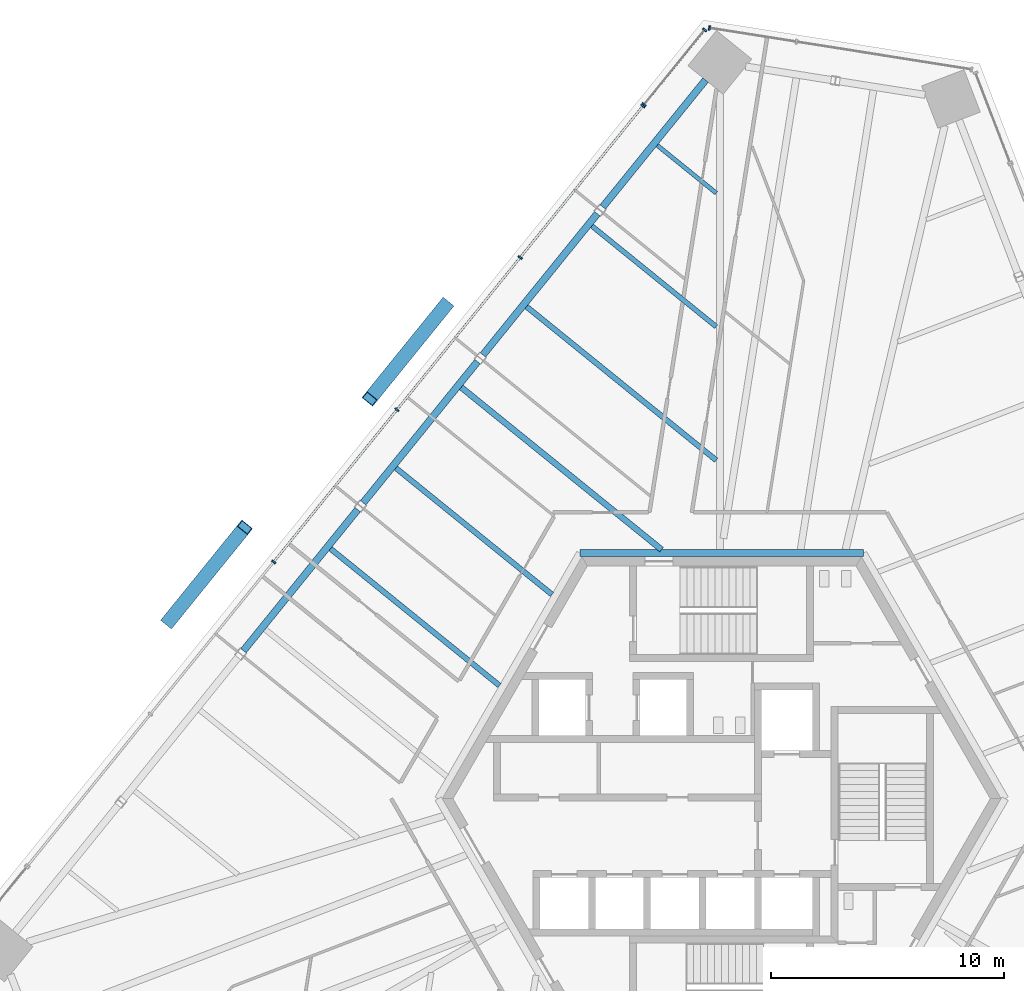
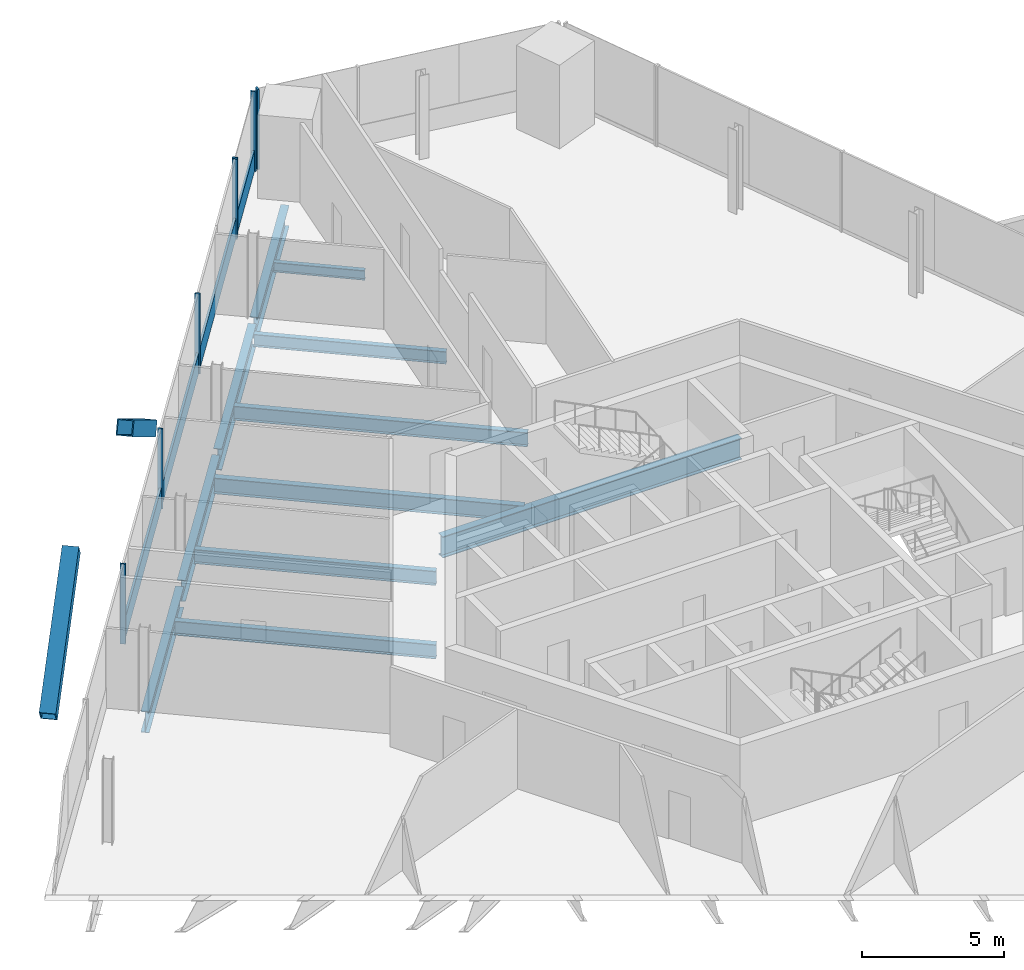
# One storey, part 8 of 19: 13 members, 11 beams, 3 elements without a shape of their own.
"""IFC4 building model written with IfcOpenShell, lengths in metres."""

from ifc_helpers import new_model, si_unit, direction, frame, origin, origin_2d, place, context, subcontext, project, spatial, rectangle, hollow_rectangle, i_section, extrude, source, transform, mapped, material, material_profile, profile_set, type_object, element, aggregate, save


model = new_model("IFC4")

# Units and contexts
model_context = context("Model", 3, precision=1e-05, world=origin(), true_north=direction((0.0, 1.0)))
body_context = subcontext(model_context, "Body", "Model", "MODEL_VIEW")
ifc_project = project(units=[si_unit("LENGTHUNIT", "METRE"), si_unit("AREAUNIT", "SQUARE_METRE"), si_unit("VOLUMEUNIT", "CUBIC_METRE"), si_unit("PLANEANGLEUNIT", "RADIAN"), si_unit("MASSUNIT", "GRAM", prefix="KILO")], contexts=[model_context])

# Site, building, storey
site_placement = place(None, origin())
site = spatial("IfcSite", under=ifc_project, at=site_placement, CompositionType="ELEMENT")
building_placement = place(site_placement, origin())
building = spatial("IfcBuilding", under=site, at=building_placement, Name="Triune Harvest Tower", CompositionType="ELEMENT")
storey_placement = place(building_placement, frame((0.0, 0.0, 149.699951171875)))
storey = spatial("IfcBuildingStorey", under=building, at=storey_placement, Name="L38", CompositionType="ELEMENT", Elevation=149.699951171875)

# Beams
ifc_material_1 = material(Name="Steel ASTM A992 Gr 50", Category="steel")
ifc_material_profile_1 = material_profile(ifc_material_1, i_section(OverallWidth=0.3046875, OverallDepth=0.914306640625, WebThickness=0.0166015625, FlangeThickness=0.02587890625, at=origin_2d()), Name="W36x160")
ifc_profile_set_1 = profile_set([ifc_material_profile_1], Name="Steel ASTM A992 Gr 50")
beam_type_1 = type_object("IfcBeamType", Name="CG-1 Core ring girder W36x160", PredefinedType="BEAM", material=ifc_profile_set_1)
shared_shape_1 = source(origin(), body_context, "Body", "SweptSolid", [
    extrude(i_section(OverallWidth=0.3046875, OverallDepth=0.914306640625, WebThickness=0.0166015625, FlangeThickness=0.02587890625, at=origin_2d()), origin(), (0.0, 0.0, 1.0), 12.17578125),
])
beam_1_placement = place(storey_placement, frame((6.087890625, 10.544677734375, -0.6171875), z_axis=(-1.0, 0.0, 0.0), x_axis=(0.0, -1.0, 0.0)))
element("IfcBeam", 1, at=beam_1_placement, inside=storey, type_object=beam_type_1, Name="beam/L38/CG2", PredefinedType="BEAM", context=body_context, shape_type="MappedRepresentation", body=[
    mapped(shared_shape_1, transform((0.0, 0.0, 0.0), scale=1.0)),
])
ifc_material_2 = material(Name="Steel ASTM A992 Gr 50", Category="steel")
ifc_material_profile_2 = material_profile(ifc_material_2, i_section(OverallWidth=0.3046875, OverallDepth=0.914306640625, WebThickness=0.0166015625, FlangeThickness=0.02587890625, at=origin_2d()), Name="W36x160")
ifc_profile_set_2 = profile_set([ifc_material_profile_2], Name="Steel ASTM A992 Gr 50")
beam_type_2 = type_object("IfcBeamType", Name="SB-1 Spandrel beam W36x160", PredefinedType="SPANDREL", material=ifc_profile_set_2)
shared_shape_2 = source(origin(), body_context, "Body", "SweptSolid", [
    extrude(i_section(OverallWidth=0.3046875, OverallDepth=0.914306640625, WebThickness=0.0166015625, FlangeThickness=0.02587890625, at=origin_2d()), origin(), (0.0, 0.0, 1.0), 7.013427734375),
])
beam_2_placement = place(storey_placement, frame((-0.69287109375, 30.8642578125, -0.6171875), z_axis=(-0.629311381255, -0.777153257358, 0.0), x_axis=(0.777153257358, -0.629311381255, 0.0)))
element("IfcBeam", 2, at=beam_2_placement, inside=storey, type_object=beam_type_2, Name="beam/L38/SB9", PredefinedType="SPANDREL", context=body_context, shape_type="MappedRepresentation", body=[
    mapped(shared_shape_2, transform((0.0, 0.0, 0.0), scale=1.0)),
])
shared_shape_3 = source(origin(), body_context, "Body", "SweptSolid", [
    extrude(i_section(OverallWidth=0.3046875, OverallDepth=0.914306640625, WebThickness=0.0166015625, FlangeThickness=0.02587890625, at=origin_2d()), origin(), (0.0, 0.0, 1.0), 7.801513671875),
])
for number, where, z_axis, x_axis, name in (
    (3, (-5.34130859375, 25.12353515625, -0.6171875), (-0.629351256413, -0.777120966163, 0.0), (0.777120966163, -0.629351256413, 0.0), "beam/L38/SB10"),
    (4, (-10.486083984375, 18.7705078125, -0.6171875), (-0.629317051779, -0.777148665533, 0.0), (0.777148665533, -0.629317051779, 0.0), "beam/L38/SB11"),
    (5, (-15.630859375, 12.417236328125, -0.6171875), (-0.629317051779, -0.777148665533, 0.0), (0.777148665533, -0.629317051779, 0.0), "beam/L38/SB12"),
):
    element("IfcBeam", number, at=place(storey_placement, frame(where, z_axis=z_axis, x_axis=x_axis)), inside=storey, type_object=beam_type_2, Name=name, PredefinedType="SPANDREL", context=body_context, shape_type="MappedRepresentation", body=[
        mapped(shared_shape_3, transform((0.0, 0.0, 0.0), scale=1.0)),
    ])
ifc_material_3 = material(Name="Steel ASTM A992 Gr 50", Category="steel")
ifc_material_profile_3 = material_profile(ifc_material_3, i_section(OverallWidth=0.22900390625, OverallDepth=0.612060546875, WebThickness=0.011962890625, FlangeThickness=0.01953125, at=origin_2d()), Name="W24x84")
ifc_profile_set_3 = profile_set([ifc_material_profile_3], Name="Steel ASTM A992 Gr 50")
beam_type_3 = type_object("IfcBeamType", Name="JT-3 Floor joist W24x84", PredefinedType="JOIST", material=ifc_profile_set_3)
shared_shape_4 = source(origin(), body_context, "Body", "SweptSolid", [
    extrude(i_section(OverallWidth=0.22900390625, OverallDepth=0.612060546875, WebThickness=0.011962890625, FlangeThickness=0.01953125, at=origin_2d()), origin(), (0.0, 0.0, 1.0), 10.482666015625),
])
beam_3_placement = place(storey_placement, frame((-8.37939453125, 21.1298828125, -0.466064453125), z_axis=(0.777144521909, -0.62932216874, 0.0), x_axis=(0.62932216874, 0.777144521909, 0.0)))
element("IfcBeam", 6, at=beam_3_placement, inside=storey, type_object=beam_type_3, Name="beam/L38/JT15", PredefinedType="JOIST", context=body_context, shape_type="MappedRepresentation", body=[
    mapped(shared_shape_4, transform((0.0, 0.0, 0.0), scale=1.0)),
])
ifc_material_4 = material(Name="Steel ASTM A992 Gr 50", Category="steel")
ifc_material_profile_4 = material_profile(ifc_material_4, i_section(OverallWidth=0.180908203125, OverallDepth=0.41650390625, WebThickness=0.010986328125, FlangeThickness=0.01806640625, at=origin_2d()), Name="W16x57")
ifc_profile_set_4 = profile_set([ifc_material_profile_4], Name="Steel ASTM A992 Gr 50")
beam_type_4 = type_object("IfcBeamType", Name="JT-1 Floor joist W16x57", PredefinedType="JOIST", material=ifc_profile_set_4)
shared_shape_5 = source(origin(), body_context, "Body", "SweptSolid", [
    extrude(i_section(OverallWidth=0.180908203125, OverallDepth=0.41650390625, WebThickness=0.010986328125, FlangeThickness=0.01806640625, at=origin_2d()), origin(), (0.0, 0.0, 1.0), 3.2607421875),
])
beam_4_placement = place(storey_placement, frame((-2.76708984375, 28.060546875, -0.3681640625), z_axis=(0.777166403411, -0.6292951465, 0.0), x_axis=(0.6292951465, 0.777166403411, 0.0)))
element("IfcBeam", 7, at=beam_4_placement, inside=storey, type_object=beam_type_4, Name="beam/L38/JT13", PredefinedType="JOIST", context=body_context, shape_type="MappedRepresentation", body=[
    mapped(shared_shape_5, transform((0.0, 0.0, 0.0), scale=1.0)),
])
ifc_material_5 = material(Name="Steel ASTM A992 Gr 50", Category="steel")
ifc_material_profile_5 = material_profile(ifc_material_5, i_section(OverallWidth=0.2099609375, OverallDepth=0.535888671875, WebThickness=0.010986328125, FlangeThickness=0.017333984375, at=origin_2d()), Name="W21x68")
ifc_profile_set_5 = profile_set([ifc_material_profile_5], Name="Steel ASTM A992 Gr 50")
beam_type_5 = type_object("IfcBeamType", Name="JT-2 Floor joist W21x68", PredefinedType="JOIST", material=ifc_profile_set_5)
shared_shape_6 = source(origin(), body_context, "Body", "SweptSolid", [
    extrude(i_section(OverallWidth=0.2099609375, OverallDepth=0.535888671875, WebThickness=0.010986328125, FlangeThickness=0.017333984375, at=origin_2d()), origin(), (0.0, 0.0, 1.0), 6.87158203125),
])
beam_5_placement = place(storey_placement, frame((-5.572998046875, 24.59521484375, -0.427978515625), z_axis=(0.777135642445, -0.629333133755, 0.0), x_axis=(0.629333133755, 0.777135642445, 0.0)))
element("IfcBeam", 8, at=beam_5_placement, inside=storey, type_object=beam_type_5, Name="beam/L38/JT14", PredefinedType="JOIST", context=body_context, shape_type="MappedRepresentation", body=[
    mapped(shared_shape_6, transform((0.0, 0.0, 0.0), scale=1.0)),
])
ifc_material_6 = material(Name="Steel ASTM A992 Gr 50", Category="steel")
ifc_material_profile_6 = material_profile(ifc_material_6, i_section(OverallWidth=0.253662109375, OverallDepth=0.683349609375, WebThickness=0.012451171875, FlangeThickness=0.01904296875, at=origin_2d()), Name="W27x94")
ifc_profile_set_6 = profile_set([ifc_material_profile_6], Name="Steel ASTM A992 Gr 50")
beam_type_6 = type_object("IfcBeamType", Name="JT-4 Floor joist W27x94", PredefinedType="JOIST", material=ifc_profile_set_6)
shared_shape_7 = source(origin(), body_context, "Body", "SweptSolid", [
    extrude(i_section(OverallWidth=0.253662109375, OverallDepth=0.683349609375, WebThickness=0.012451171875, FlangeThickness=0.01904296875, at=origin_2d()), origin(), (0.0, 0.0, 1.0), 11.0712890625),
])
beam_6_placement = place(storey_placement, frame((-11.185546875, 17.66455078125, -0.50146484375), z_axis=(0.777139586487, -0.6293282634, 0.0), x_axis=(0.6293282634, 0.777139586487, 0.0)))
element("IfcBeam", 9, at=beam_6_placement, inside=storey, type_object=beam_type_6, Name="beam/L38/JT16", PredefinedType="JOIST", context=body_context, shape_type="MappedRepresentation", body=[
    mapped(shared_shape_7, transform((0.0, 0.0, 0.0), scale=1.0)),
])
shared_shape_8 = source(origin(), body_context, "Body", "SweptSolid", [
    extrude(i_section(OverallWidth=0.22900390625, OverallDepth=0.612060546875, WebThickness=0.011962890625, FlangeThickness=0.01953125, at=origin_2d()), origin(), (0.0, 0.0, 1.0), 8.6259765625),
])
beam_7_placement = place(storey_placement, frame((-13.99169921875, 14.19921875, -0.466064453125), z_axis=(0.777146653343, -0.629319536641, 0.0), x_axis=(0.629319536641, 0.777146653343, 0.0)))
element("IfcBeam", 10, at=beam_7_placement, inside=storey, type_object=beam_type_3, Name="beam/L38/JT17", PredefinedType="JOIST", context=body_context, shape_type="MappedRepresentation", body=[
    mapped(shared_shape_8, transform((0.0, 0.0, 0.0), scale=1.0)),
])
shared_shape_9 = source(origin(), body_context, "Body", "SweptSolid", [
    extrude(i_section(OverallWidth=0.22900390625, OverallDepth=0.612060546875, WebThickness=0.011962890625, FlangeThickness=0.01953125, at=origin_2d()), origin(), (0.0, 0.0, 1.0), 9.33251953125),
])
beam_8_placement = place(storey_placement, frame((-16.798095703125, 10.73388671875, -0.466064453125), z_axis=(0.777149214732, -0.629316373568, 0.0), x_axis=(0.629316373568, 0.777149214732, 0.0)))
element("IfcBeam", 11, at=beam_8_placement, inside=storey, type_object=beam_type_3, Name="beam/L38/JT18", PredefinedType="JOIST", context=body_context, shape_type="MappedRepresentation", body=[
    mapped(shared_shape_9, transform((0.0, 0.0, 0.0), scale=1.0)),
])

# Members
ifc_material_7 = material(Name="Steel ASTM A572 Gr 50", Category="steel")
ifc_material_profile_7 = material_profile(ifc_material_7, hollow_rectangle(XDim=0.60009765625, YDim=0.60009765625, WallThickness=0.0400390625, at=origin_2d()), Name="Box 600x600x40")
ifc_profile_set_7 = profile_set([ifc_material_profile_7], Name="Steel ASTM A572 Gr 50")
member_type_1 = type_object("IfcMemberType", Name="BR-2 Brace Box 600x600x40", PredefinedType="BRACE", material=ifc_profile_set_7)
shared_shape_10 = source(origin(), body_context, "Body", "SweptSolid", [
    extrude(hollow_rectangle(XDim=0.60009765625, YDim=0.60009765625, WallThickness=0.0400390625, at=origin_2d()), origin(), (0.0, 0.0, 1.0), 6.3291015625),
])
member_1_placement = place(storey_placement, frame((-23.757080078125, 7.60791015625, 0.0), z_axis=(0.517590508098, 0.639176831062, 0.568817233002), x_axis=(-0.777148746815, 0.629316951404, 0.0)))
element("IfcMember", 12, at=member_1_placement, inside=storey, type_object=member_type_1, Name="brace/B4-F3/d2/4", PredefinedType="BRACE", context=body_context, shape_type="MappedRepresentation", body=[
    mapped(shared_shape_10, transform((0.0, 0.0, 0.0), scale=1.0)),
])
shared_shape_11 = source(origin(), body_context, "Body", "SweptSolid", [
    extrude(hollow_rectangle(XDim=0.60009765625, YDim=0.60009765625, WallThickness=0.0400390625, at=origin_2d()), origin(), (0.0, 0.0, 1.0), 6.329345703125),
])
member_2_placement = place(storey_placement, frame((-11.8369140625, 21.2158203125, 0.0), z_axis=(-0.517605985809, -0.639186883587, 0.568791852355), x_axis=(0.777144383745, -0.629322339357, 0.0)))
element("IfcMember", 13, at=member_2_placement, inside=storey, type_object=member_type_1, Name="brace/B4-F3/d1/4", PredefinedType="BRACE", context=body_context, shape_type="MappedRepresentation", body=[
    mapped(shared_shape_11, transform((0.0, 0.0, 0.0), scale=1.0)),
])

# Curtain wall, member
ifc_material_8 = material(Name="Aluminium bronze anodised", Category="aluminium")
curtain_wall_type_1 = type_object("IfcCurtainWallType", Name="CW-1 Tower stick curtain wall", PredefinedType="NOTDEFINED", material=ifc_material_8)
curtain_wall_1_placement = place(storey_placement, origin())
curtain_wall_1 = element("IfcCurtainWall", 14, at=curtain_wall_1_placement, inside=storey, type_object=curtain_wall_type_1, Name="CW-1 B4-F2 L38 run 1")
ifc_material_9 = material(Name="Aluminium bronze anodised", Category="aluminium")
ifc_material_profile_8 = material_profile(ifc_material_9, rectangle(XDim=0.199951171875, YDim=0.074951171875, at=origin_2d()), Name="MU-1 mullion 75 x 200")
ifc_profile_set_8 = profile_set([ifc_material_profile_8], Name="Aluminium bronze anodised")
member_type_2 = type_object("IfcMemberType", Name="MU-1 mullion 75 x 200", PredefinedType="MULLION", material=ifc_profile_set_8)
shared_shape_12 = source(origin(), body_context, "Body", "SweptSolid", [
    extrude(rectangle(XDim=0.199951171875, YDim=0.074951171875, at=origin_2d()), origin(), (0.0, 0.0, 1.0), 3.43994140625),
])
member_3_placement = place(storey_placement, frame((-0.528076171875, 33.09912109375, 0.0), z_axis=(0.0, 0.0, 1.0), x_axis=(-0.156432728322, -0.987688615663, 0.0)))
member_3 = element("IfcMember", 15, at=member_3_placement, type_object=member_type_2, Name="CW-1 mullion B4-F2 1.4", PredefinedType="MULLION", context=body_context, shape_type="MappedRepresentation", body=[
    mapped(shared_shape_12, transform((0.0, 0.0, 0.0), scale=1.0)),
])
aggregate(curtain_wall_1, [member_3])

# Curtain wall, members
curtain_wall_2_placement = place(storey_placement, origin())
curtain_wall_2 = element("IfcCurtainWall", 16, at=curtain_wall_2_placement, inside=storey, type_object=curtain_wall_type_1, Name="CW-1 B4-F3 L38 run 1")
member_4_placement = place(storey_placement, frame((-0.734130859375, 33.02001953125, 0.0), z_axis=(0.0, 0.0, 1.0), x_axis=(0.777148997544, -0.629316641776, 0.0)))
member_4 = element("IfcMember", 17, at=member_4_placement, type_object=member_type_2, Name="CW-1 mullion B4-F3 1.1", PredefinedType="MULLION", context=body_context, shape_type="MappedRepresentation", body=[
    mapped(shared_shape_12, transform((0.0, 0.0, 0.0), scale=1.0)),
])
member_5_placement = place(storey_placement, frame((-3.333984375, 29.809326171875, 0.0), z_axis=(0.0, 0.0, 1.0), x_axis=(0.777148997544, -0.629316641776, 0.0)))
member_5 = element("IfcMember", 18, at=member_5_placement, type_object=member_type_2, Name="CW-1 mullion B4-F3 1.2", PredefinedType="MULLION", context=body_context, shape_type="MappedRepresentation", body=[
    mapped(shared_shape_12, transform((0.0, 0.0, 0.0), scale=1.0)),
])

ifc_material_10 = material(Name="Aluminium bronze anodised", Category="aluminium")
curtain_wall_type_2 = type_object("IfcCurtainWallType", Name="CW-7 Tower stick curtain wall with insulated spandrel infill", PredefinedType="NOTDEFINED", material=ifc_material_10)
curtain_wall_3_placement = place(storey_placement, origin())
curtain_wall_3 = element("IfcCurtainWall", 19, at=curtain_wall_3_placement, inside=storey, type_object=curtain_wall_type_2, Name="CW-7 B4-F3 L38 run 1001")
member_6_placement = place(storey_placement, frame((-3.381103515625, 29.751220703125, 0.0), z_axis=(0.0, 0.0, 1.0), x_axis=(0.77714431638, -0.629322422546, 0.0)))
member_6 = element("IfcMember", 20, at=member_6_placement, type_object=member_type_2, Name="CW-7 mullion B4-F3 1001.1", PredefinedType="MULLION", context=body_context, shape_type="MappedRepresentation", body=[
    mapped(shared_shape_12, transform((0.0, 0.0, 0.0), scale=1.0)),
])
member_7_placement = place(storey_placement, frame((-8.651611328125, 23.24267578125, 0.0), z_axis=(0.0, 0.0, 1.0), x_axis=(0.77714431638, -0.629322422546, 0.0)))
member_7 = element("IfcMember", 21, at=member_7_placement, type_object=member_type_2, Name="CW-7 mullion B4-F3 1001.3", PredefinedType="MULLION", context=body_context, shape_type="MappedRepresentation", body=[
    mapped(shared_shape_12, transform((0.0, 0.0, 0.0), scale=1.0)),
])
member_8_placement = place(storey_placement, frame((-13.945556640625, 16.705078125, 0.0), z_axis=(0.0, 0.0, 1.0), x_axis=(0.77714431638, -0.629322422546, 0.0)))
member_8 = element("IfcMember", 22, at=member_8_placement, type_object=member_type_2, Name="CW-7 mullion B4-F3 1001.5", PredefinedType="MULLION", context=body_context, shape_type="MappedRepresentation", body=[
    mapped(shared_shape_12, transform((0.0, 0.0, 0.0), scale=1.0)),
])
member_9_placement = place(storey_placement, frame((-19.239501953125, 10.167724609375, 0.0), z_axis=(0.0, 0.0, 1.0), x_axis=(0.77714431638, -0.629322422546, 0.0)))
member_9 = element("IfcMember", 23, at=member_9_placement, type_object=member_type_2, Name="CW-7 mullion B4-F3 1001.7", PredefinedType="MULLION", context=body_context, shape_type="MappedRepresentation", body=[
    mapped(shared_shape_12, transform((0.0, 0.0, 0.0), scale=1.0)),
])

# Member
ifc_material_11 = material(Name="Aluminium bronze anodised", Category="aluminium")
ifc_material_profile_9 = material_profile(ifc_material_11, rectangle(XDim=0.090087890625, YDim=0.89990234375, at=origin_2d()), Name="TR-1 transom 90 x 900")
ifc_profile_set_9 = profile_set([ifc_material_profile_9], Name="Aluminium bronze anodised")
member_type_3 = type_object("IfcMemberType", Name="TR-1 transom 90 x 900", PredefinedType="USERDEFINED", material=ifc_profile_set_9)
shared_shape_13 = source(origin(), body_context, "Body", "SweptSolid", [
    extrude(rectangle(XDim=0.090087890625, YDim=0.89990234375, at=origin_2d()), origin(), (0.0, 0.0, 1.0), 4.055908203125),
])
member_10_placement = place(storey_placement, frame((-0.7578125, 32.99072265625, 0.449951171875), z_axis=(-0.629315968505, -0.777149542742, 0.0), x_axis=(0.777149542742, -0.629315968505, 0.0)))
member_10 = element("IfcMember", 24, at=member_10_placement, type_object=member_type_3, Name="CW-1 transom B4-F3 1.1", ObjectType="TRANSOM", PredefinedType="USERDEFINED", context=body_context, shape_type="MappedRepresentation", body=[
    mapped(shared_shape_13, transform((0.0, 0.0, 0.0), scale=1.0)),
])

aggregate(curtain_wall_2, [member_4, member_5, member_10])

shared_shape_14 = source(origin(), body_context, "Body", "SweptSolid", [
    extrude(rectangle(XDim=0.090087890625, YDim=0.89990234375, at=origin_2d()), origin(), (0.0, 0.0, 1.0), 8.299560546875),
])
member_11_placement = place(storey_placement, frame((-3.40478515625, 29.721923828125, 0.449951171875), z_axis=(-0.629325998453, -0.777141420638, 0.0), x_axis=(0.777141420638, -0.629325998453, 0.0)))
member_11 = element("IfcMember", 25, at=member_11_placement, type_object=member_type_3, Name="CW-7 transom B4-F3 1001.1", ObjectType="TRANSOM", PredefinedType="USERDEFINED", context=body_context, shape_type="MappedRepresentation", body=[
    mapped(shared_shape_14, transform((0.0, 0.0, 0.0), scale=1.0)),
])

shared_shape_15 = source(origin(), body_context, "Body", "SweptSolid", [
    extrude(rectangle(XDim=0.090087890625, YDim=0.89990234375, at=origin_2d()), origin(), (0.0, 0.0, 1.0), 8.337158203125),
])
member_12_placement = place(storey_placement, frame((-8.675048828125, 23.213623046875, 0.449951171875), z_axis=(-0.629322894333, -0.777143934331, 0.0), x_axis=(0.777143934331, -0.629322894333, 0.0)))
member_12 = element("IfcMember", 26, at=member_12_placement, type_object=member_type_3, Name="CW-7 transom B4-F3 1001.2", ObjectType="TRANSOM", PredefinedType="USERDEFINED", context=body_context, shape_type="MappedRepresentation", body=[
    mapped(shared_shape_15, transform((0.0, 0.0, 0.0), scale=1.0)),
])

member_13_placement = place(storey_placement, frame((-13.96923828125, 16.676025390625, 0.449951171875), z_axis=(-0.629322894333, -0.777143934331, 0.0), x_axis=(0.777143934331, -0.629322894333, 0.0)))
member_13 = element("IfcMember", 27, at=member_13_placement, type_object=member_type_3, Name="CW-7 transom B4-F3 1001.3", ObjectType="TRANSOM", PredefinedType="USERDEFINED", context=body_context, shape_type="MappedRepresentation", body=[
    mapped(shared_shape_15, transform((0.0, 0.0, 0.0), scale=1.0)),
])

aggregate(curtain_wall_3, [member_6, member_7, member_8, member_9, member_11, member_12, member_13])

save(model, "model.ifc")
